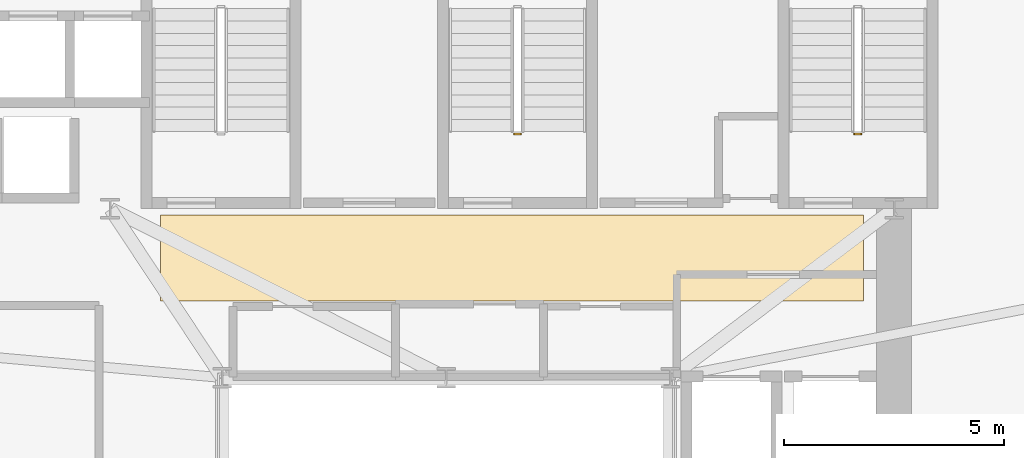
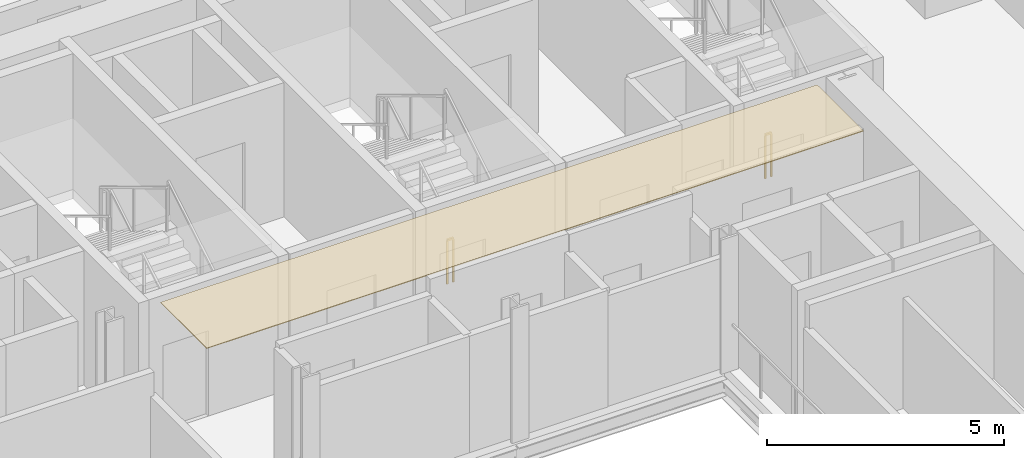
# One storey, part 12 of 14: 2 railings, 1 covering.
"""IFC4 building model written with IfcOpenShell, lengths in metres."""

from ifc_helpers import new_model, si_unit, direction, frame, origin, origin_2d, place, context, subcontext, project, spatial, polyline, rectangle, outline, extrude, source, transform, mapped, material, layer, layer_set, type_object, element, save


model = new_model("IFC4")

# Units and contexts
model_context = context("Model", 3, precision=1e-05, world=origin(), true_north=direction((0.0, 1.0)))
body_context = subcontext(model_context, "Body", "Model", "MODEL_VIEW")
ifc_project = project(units=[si_unit("LENGTHUNIT", "METRE"), si_unit("AREAUNIT", "SQUARE_METRE"), si_unit("VOLUMEUNIT", "CUBIC_METRE"), si_unit("PLANEANGLEUNIT", "RADIAN"), si_unit("MASSUNIT", "GRAM", prefix="KILO")], contexts=[model_context])

# Site, building, storey
site_placement = place(None, origin())
site = spatial("IfcSite", under=ifc_project, at=site_placement, CompositionType="ELEMENT")
building_placement = place(site_placement, origin())
building = spatial("IfcBuilding", under=site, at=building_placement, Name="Vardaveli Station Tower", CompositionType="ELEMENT")
storey_placement = place(building_placement, frame((0.0, 0.0, 126.10009765625)))
storey = spatial("IfcBuildingStorey", under=building, at=storey_placement, Name="L32", CompositionType="ELEMENT", Elevation=126.10009765625)

# Covering
ifc_material_1 = material(Name="Perforated acoustic mineral ceiling")
ifc_layer = layer(ifc_material_1, 0.02001953125, Name="Perforated acoustic mineral ceiling")
ifc_layer_set = layer_set([ifc_layer], Name="Perforated acoustic mineral ceiling")
covering_type = type_object("IfcCoveringType", Name="COV-CEIL-AC20", PredefinedType="CEILING", material=ifc_layer_set)
covering_placement = place(storey_placement, frame((0.0, 0.0, 3.44482421875)))
element("IfcCovering", 1, at=covering_placement, inside=storey, type_object=covering_type, Name="CEIL-L32-8", PredefinedType="CEILING", context=body_context, shape_type="SweptSolid", body=[
    extrude(outline(polyline([(29.800048828125, 28.550048828125), (45.800048828125, 28.550048828125), (45.800048828125, 30.5), (29.800048828125, 30.5), (29.800048828125, 28.550048828125)])), origin(), (0.0, 0.0, 1.0), 0.02001953125),
])

# Railings
ifc_material_2 = material(Name="Brushed AISI 316 stainless steel", Category="steel")
railing_type = type_object("IfcRailingType", Name="RL-GUARD-1150", PredefinedType="GUARDRAIL", material=ifc_material_2)
shared_shape = source(origin(), body_context, "Body", "SweptSolid", [
    extrude(rectangle(XDim=0.048095703125, YDim=0.048095703125, at=origin_2d()), frame((0.0, 0.0, 1.1259765625), z_axis=(-1.0, 0.0, 0.0), x_axis=(0.0, -1.0, 0.0)), (0.0, 0.0, 1.0), 0.14990234375),
    extrude(rectangle(XDim=0.0419921875, YDim=0.0419921875, at=origin_2d()), origin(), (0.0, 0.0, 1.0), 1.101806640625),
    extrude(rectangle(XDim=0.0419921875, YDim=0.0419921875, at=origin_2d()), frame((-0.14990234375, 0.0, 0.0)), (0.0, 0.0, 1.0), 1.101806640625),
])
for number, where, name in (
    (2, (38.0, 32.35009765625, 0.0), "L32 ST-2 stair guard 4"),
    (3, (45.75, 32.35009765625, 0.0), "L32 ST-3 stair guard 4"),
):
    element("IfcRailing", number, at=place(storey_placement, frame(where)), inside=storey, type_object=railing_type, Name=name, PredefinedType="GUARDRAIL", context=body_context, shape_type="MappedRepresentation", body=[
        mapped(shared_shape, transform((0.0, 0.0, 0.0), scale=1.0)),
    ])

save(model, "model.ifc")
